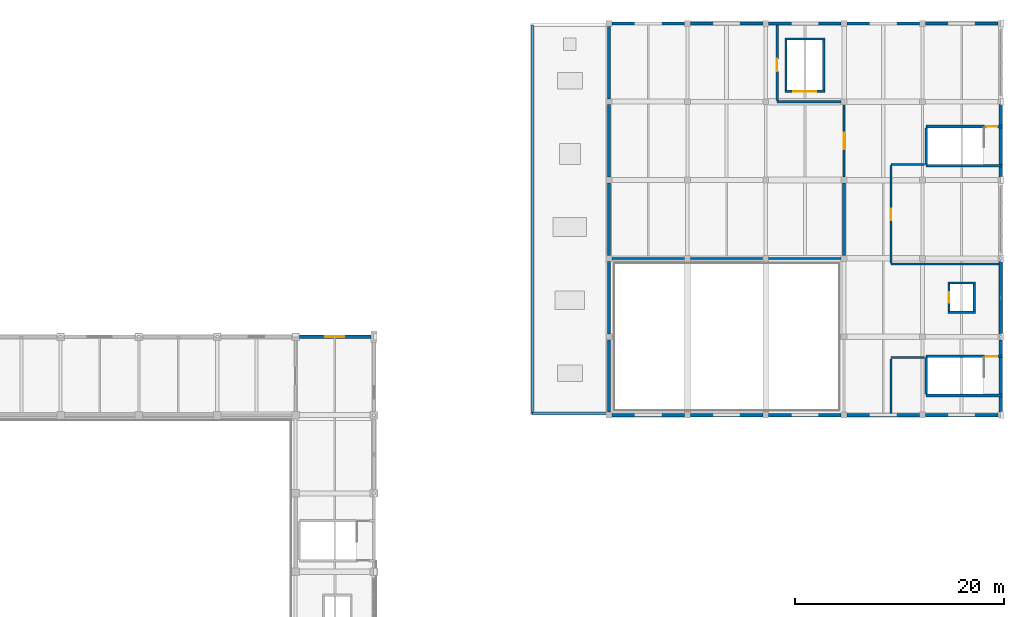
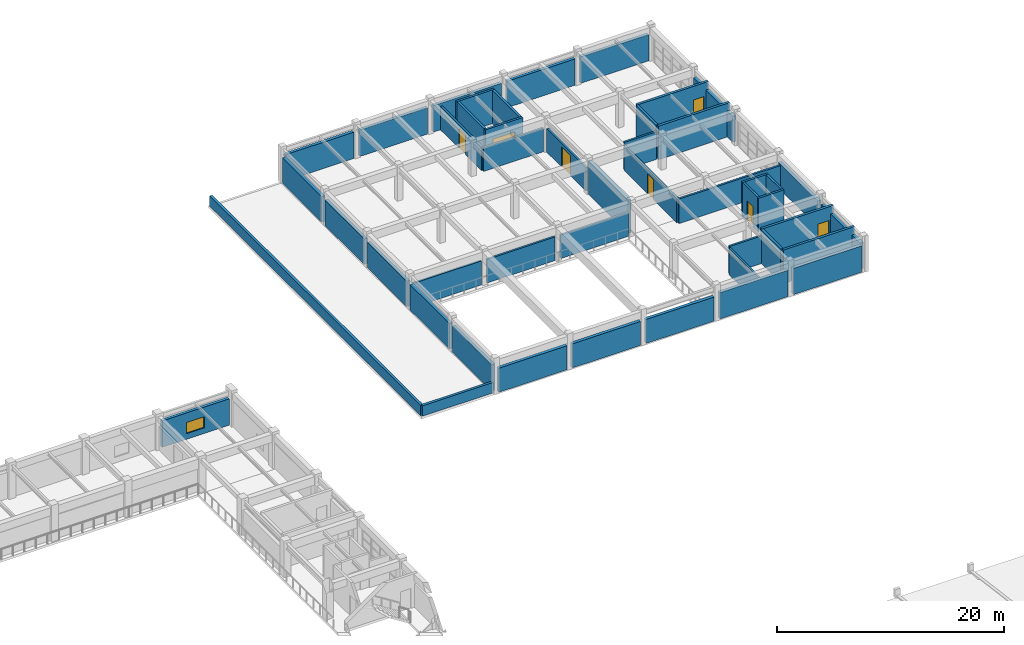
# One storey, part 82 of 101: 47 walls, 7 doors, 1 window, 8 openings.
"""IFC4 building model written with IfcOpenShell, lengths in metres."""

from ifc_helpers import new_model, si_unit, direction, frame, frame_2d, origin, place, context, subcontext, project, spatial, rectangle, extrude, material, layer, layer_set, type_object, element, fill, save


model = new_model("IFC4")

# Units and contexts
model_context = context("Model", 3, precision=1e-05, world=origin(), true_north=direction((0.0, 1.0)))
body_context = subcontext(model_context, "Body", "Model", "MODEL_VIEW")
ifc_project = project(units=[si_unit("LENGTHUNIT", "METRE"), si_unit("AREAUNIT", "SQUARE_METRE"), si_unit("VOLUMEUNIT", "CUBIC_METRE"), si_unit("PLANEANGLEUNIT", "RADIAN"), si_unit("MASSUNIT", "GRAM", prefix="KILO")], contexts=[model_context])

# Site, building, storey
site_placement = place(None, origin())
site = spatial("IfcSite", under=ifc_project, at=site_placement, CompositionType="ELEMENT")
building_placement = place(site_placement, origin())
building = spatial("IfcBuilding", under=site, at=building_placement, Name="Qasida Concert Hall", CompositionType="ELEMENT")
storey_placement = place(building_placement, frame((0.0, 0.0, 13.199951171875)))
storey = spatial("IfcBuildingStorey", under=building, at=storey_placement, Name="L03", CompositionType="ELEMENT", Elevation=13.199951171875)

# Walls
ifc_material_1 = material(Name="Concrete C40/50", Category="concrete")
ifc_layer_1 = layer(ifc_material_1, 0.219970703125, Name="Concrete C40/50")
ifc_layer_set_1 = layer_set([ifc_layer_1], Name="Concrete C40/50")
wall_type_1 = type_object("IfcWallType", Name="WL-CW-220", PredefinedType="SOLIDWALL", material=ifc_layer_set_1)
for number, where, z_axis, x_axis, name in (
    (1, (159.93994140625, 84.85009765625, 0.0), (0.0, 0.0, 1.0), (1.0, 0.0, 0.0), "L03 LF-09 lift shaft wall S"),
    (2, (159.93994140625, 87.64990234375, 0.0), (0.0, 0.0, 1.0), (1.0, 0.0, 0.0), "L03 LF-09 lift shaft wall N"),
):
    element("IfcWall", number, at=place(storey_placement, frame(where, z_axis=z_axis, x_axis=x_axis)), inside=storey, type_object=wall_type_1, Name=name, PredefinedType="SOLIDWALL", context=body_context, shape_type="SweptSolid", body=[
        extrude(rectangle(XDim=2.6201171875, YDim=0.219970703125, at=frame_2d((1.31005859375, 0.0))), origin(), (0.0, 0.0, 1.0), 3.6201171875),
    ])

# Wall, opening, door
wall_1_placement = place(storey_placement, frame((160.050048828125, 84.9599609375, 0.0), z_axis=(0.0, 0.0, 1.0), x_axis=(0.0, 1.0, 0.0)))
wall_1 = element("IfcWall", 3, at=wall_1_placement, inside=storey, type_object=wall_type_1, Name="L03 LF-09 lift shaft wall W", PredefinedType="SOLIDWALL", context=body_context, shape_type="SweptSolid", body=[
    extrude(rectangle(XDim=2.580078125, YDim=0.219970703125, at=frame_2d((1.2900390625, 0.0))), origin(), (0.0, 0.0, 1.0), 3.6201171875),
])
opening_1_placement = place(wall_1_placement, frame((0.7900390625, 0.0, 0.0)))
opening_1 = element("IfcOpeningElement", 4, at=opening_1_placement, cuts=wall_1, Name="Opening LD-100", PredefinedType="OPENING", context=body_context, shape_type="SweptSolid", body=[
    extrude(rectangle(XDim=1.0, YDim=2.14990234375, at=frame_2d((0.5, 1.074951171875))), frame((0.0, 0.119873046875, 0.0), z_axis=(0.0, -1.0, 0.0), x_axis=(1.0, 0.0, 0.0)), (0.0, 0.0, 1.0), 0.239990234375),
])
ifc_material_2 = material(Name="Brushed bronze passenger lift landing door", Category="steel")
door_type_1 = type_object("IfcDoorType", Name="LD-100", OperationType="SLIDING_TO_LEFT", PredefinedType="DOOR", material=ifc_material_2)
door_1_placement = place(opening_1_placement, origin())
door_1 = element("IfcDoor", 5, at=door_1_placement, inside=storey, type_object=door_type_1, Name="Lift landing door LF-09 L03", OperationType="SLIDING_TO_LEFT", OverallHeight=2.14990234375, OverallWidth=1.0, PredefinedType="DOOR", context=body_context, shape_type="SweptSolid", body=[
    extrude(rectangle(XDim=1.0, YDim=2.14990234375, at=frame_2d((0.5, 1.074951171875))), frame((0.0, 0.02490234375, 0.0), z_axis=(0.0, -1.0, 0.0), x_axis=(1.0, 0.0, 0.0)), (0.0, 0.0, 1.0), 0.050048828125),
])
fill(opening_1, door_1)

# Wall
wall_2_placement = place(storey_placement, frame((162.449951171875, 84.9599609375, 0.0), z_axis=(0.0, 0.0, 1.0), x_axis=(0.0, 1.0, 0.0)))
element("IfcWall", 6, at=wall_2_placement, inside=storey, type_object=wall_type_1, Name="L03 LF-09 lift shaft wall E", PredefinedType="SOLIDWALL", context=body_context, shape_type="SweptSolid", body=[
    extrude(rectangle(XDim=2.580078125, YDim=0.219970703125, at=frame_2d((1.2900390625, 0.0))), origin(), (0.0, 0.0, 1.0), 3.6201171875),
])

# Wall, opening, door
wall_3_placement = place(storey_placement, frame((144.340087890625, 106.0, 0.0), z_axis=(0.0, 0.0, 1.0), x_axis=(1.0, 0.0, 0.0)))
wall_3 = element("IfcWall", 7, at=wall_3_placement, inside=storey, type_object=wall_type_1, Name="L03 LF-10 lift shaft wall S", PredefinedType="SOLIDWALL", context=body_context, shape_type="SweptSolid", body=[
    extrude(rectangle(XDim=3.81982421875, YDim=0.219970703125, at=frame_2d((1.909912109375, 0.0))), origin(), (0.0, 0.0, 1.0), 3.6201171875),
])
opening_2_placement = place(wall_3_placement, frame((0.81005859375, 0.0, 0.0)))
opening_2 = element("IfcOpeningElement", 8, at=opening_2_placement, cuts=wall_3, Name="Opening LD-220", PredefinedType="OPENING", context=body_context, shape_type="SweptSolid", body=[
    extrude(rectangle(XDim=2.199951171875, YDim=2.35009765625, at=frame_2d((1.10009765625, 1.175048828125))), frame((0.0, 0.119873046875, 0.0), z_axis=(0.0, -1.0, 0.0), x_axis=(1.0, 0.0, 0.0)), (0.0, 0.0, 1.0), 0.239990234375),
])
ifc_material_3 = material(Name="Piano freight lift bi-parting landing door", Category="steel")
door_type_2 = type_object("IfcDoorType", Name="LD-220", OperationType="DOUBLE_DOOR_SLIDING", PredefinedType="DOOR", material=ifc_material_3)
door_2_placement = place(opening_2_placement, origin())
door_2 = element("IfcDoor", 9, at=door_2_placement, inside=storey, type_object=door_type_2, Name="Lift landing door LF-10 L03", OperationType="DOUBLE_DOOR_SLIDING", OverallHeight=2.35009765625, OverallWidth=2.199951171875, PredefinedType="DOOR", context=body_context, shape_type="SweptSolid", body=[
    extrude(rectangle(XDim=2.199951171875, YDim=2.35009765625, at=frame_2d((1.10009765625, 1.175048828125))), frame((0.0, 0.02490234375, 0.0), z_axis=(0.0, -1.0, 0.0), x_axis=(1.0, 0.0, 0.0)), (0.0, 0.0, 1.0), 0.050048828125),
])
fill(opening_2, door_2)

# Walls
wall_4_placement = place(storey_placement, frame((144.340087890625, 111.0, 0.0), z_axis=(0.0, 0.0, 1.0), x_axis=(1.0, 0.0, 0.0)))
element("IfcWall", 10, at=wall_4_placement, inside=storey, type_object=wall_type_1, Name="L03 LF-10 lift shaft wall N", PredefinedType="SOLIDWALL", context=body_context, shape_type="SweptSolid", body=[
    extrude(rectangle(XDim=3.81982421875, YDim=0.219970703125, at=frame_2d((1.909912109375, 0.0))), origin(), (0.0, 0.0, 1.0), 3.6201171875),
])
for number, where, z_axis, x_axis, name in (
    (11, (144.449951171875, 106.110107421875, 0.0), (0.0, 0.0, 1.0), (0.0, 1.0, 0.0), "L03 LF-10 lift shaft wall W"),
    (12, (148.050048828125, 106.110107421875, 0.0), (0.0, 0.0, 1.0), (0.0, 1.0, 0.0), "L03 LF-10 lift shaft wall E"),
):
    element("IfcWall", number, at=place(storey_placement, frame(where, z_axis=z_axis, x_axis=x_axis)), inside=storey, type_object=wall_type_1, Name=name, PredefinedType="SOLIDWALL", context=body_context, shape_type="SweptSolid", body=[
        extrude(rectangle(XDim=4.77978515625, YDim=0.219970703125, at=frame_2d((2.389892578125, 0.0))), origin(), (0.0, 0.0, 1.0), 3.6201171875),
    ])
ifc_layer_2 = layer(ifc_material_1, 0.25, Name="Concrete C40/50")
ifc_layer_set_2 = layer_set([ifc_layer_2], Name="Concrete C40/50")
wall_type_2 = type_object("IfcWallType", Name="WL-CW-250", PredefinedType="SOLIDWALL", material=ifc_layer_set_2)
wall_5_placement = place(storey_placement, frame((157.860107421875, 76.875, 0.0), z_axis=(0.0, 0.0, 1.0), x_axis=(1.0, 0.0, 0.0)))
element("IfcWall", 13, at=wall_5_placement, inside=storey, type_object=wall_type_2, Name="L03 ST-07 stairwell wall S", PredefinedType="SOLIDWALL", context=body_context, shape_type="SweptSolid", body=[
    extrude(rectangle(XDim=7.260009765625, YDim=0.25, at=frame_2d((3.6298828125, 0.0))), origin(), (0.0, 0.0, 1.0), 3.6201171875),
])

# Wall, opening, door
wall_6_placement = place(storey_placement, frame((157.860107421875, 80.625, 0.0), z_axis=(0.0, 0.0, 1.0), x_axis=(1.0, 0.0, 0.0)))
wall_6 = element("IfcWall", 14, at=wall_6_placement, inside=storey, type_object=wall_type_2, Name="L03 ST-07 stairwell wall N", PredefinedType="SOLIDWALL", context=body_context, shape_type="SweptSolid", body=[
    extrude(rectangle(XDim=7.260009765625, YDim=0.25, at=frame_2d((3.6298828125, 0.0))), origin(), (0.0, 0.0, 1.0), 3.6201171875),
])
opening_3_placement = place(wall_6_placement, frame((5.7099609375, 0.0, 0.0)))
opening_3 = element("IfcOpeningElement", 15, at=opening_3_placement, cuts=wall_6, Name="Opening FD-110", PredefinedType="OPENING", context=body_context, shape_type="SweptSolid", body=[
    extrude(rectangle(XDim=1.10009765625, YDim=2.14990234375, at=frame_2d((0.550048828125, 1.074951171875))), frame((0.0, 0.135009765625, 0.0), z_axis=(0.0, -1.0, 0.0), x_axis=(1.0, 0.0, 0.0)), (0.0, 0.0, 1.0), 0.27001953125),
])
ifc_material_4 = material(Name="Steel fire-rated stair/lobby door set", Category="steel")
door_type_3 = type_object("IfcDoorType", Name="FD-110", OperationType="NOTDEFINED", PredefinedType="DOOR", material=ifc_material_4)
door_3_placement = place(opening_3_placement, origin())
door_3 = element("IfcDoor", 16, at=door_3_placement, inside=storey, type_object=door_type_3, Name="L03 ST-07 rated stair door", OperationType="SINGLE_SWING_RIGHT", OverallHeight=2.14990234375, OverallWidth=1.10009765625, PredefinedType="DOOR", context=body_context, shape_type="SweptSolid", body=[
    extrude(rectangle(XDim=1.10009765625, YDim=2.14990234375, at=frame_2d((0.550048828125, 1.074951171875))), frame((0.0, 0.02490234375, 0.0), z_axis=(0.0, -1.0, 0.0), x_axis=(1.0, 0.0, 0.0)), (0.0, 0.0, 1.0), 0.050048828125),
])
fill(opening_3, door_3)

# Walls
wall_7_placement = place(storey_placement, frame((157.85498046875, 77.0, 0.0), z_axis=(0.0, 0.0, 1.0), x_axis=(0.0, 1.0, 0.0)))
element("IfcWall", 17, at=wall_7_placement, inside=storey, type_object=wall_type_2, Name="L03 ST-07 stairwell wall W", PredefinedType="SOLIDWALL", context=body_context, shape_type="SweptSolid", body=[
    extrude(rectangle(XDim=3.5, YDim=0.25, at=frame_2d((1.75, 0.0))), origin(), (0.0, 0.0, 1.0), 3.6201171875),
])
wall_8_placement = place(storey_placement, frame((157.860107421875, 98.875, 0.0), z_axis=(0.0, 0.0, 1.0), x_axis=(1.0, 0.0, 0.0)))
element("IfcWall", 18, at=wall_8_placement, inside=storey, type_object=wall_type_2, Name="L03 ST-08 stairwell wall S", PredefinedType="SOLIDWALL", context=body_context, shape_type="SweptSolid", body=[
    extrude(rectangle(XDim=7.260009765625, YDim=0.25, at=frame_2d((3.6298828125, 0.0))), origin(), (0.0, 0.0, 1.0), 3.6201171875),
])

# Wall, opening, door
wall_9_placement = place(storey_placement, frame((157.860107421875, 102.625, 0.0), z_axis=(0.0, 0.0, 1.0), x_axis=(1.0, 0.0, 0.0)))
wall_9 = element("IfcWall", 19, at=wall_9_placement, inside=storey, type_object=wall_type_2, Name="L03 ST-08 stairwell wall N", PredefinedType="SOLIDWALL", context=body_context, shape_type="SweptSolid", body=[
    extrude(rectangle(XDim=7.260009765625, YDim=0.25, at=frame_2d((3.6298828125, 0.0))), origin(), (0.0, 0.0, 1.0), 3.6201171875),
])
opening_4_placement = place(wall_9_placement, frame((5.7099609375, 0.0, 0.0)))
opening_4 = element("IfcOpeningElement", 20, at=opening_4_placement, cuts=wall_9, Name="Opening FD-110", PredefinedType="OPENING", context=body_context, shape_type="SweptSolid", body=[
    extrude(rectangle(XDim=1.10009765625, YDim=2.14990234375, at=frame_2d((0.550048828125, 1.074951171875))), frame((0.0, 0.135009765625, 0.0), z_axis=(0.0, -1.0, 0.0), x_axis=(1.0, 0.0, 0.0)), (0.0, 0.0, 1.0), 0.27001953125),
])
door_4_placement = place(opening_4_placement, origin())
door_4 = element("IfcDoor", 21, at=door_4_placement, inside=storey, type_object=door_type_3, Name="L03 ST-08 rated stair door", OperationType="SINGLE_SWING_RIGHT", OverallHeight=2.14990234375, OverallWidth=1.10009765625, PredefinedType="DOOR", context=body_context, shape_type="SweptSolid", body=[
    extrude(rectangle(XDim=1.10009765625, YDim=2.14990234375, at=frame_2d((0.550048828125, 1.074951171875))), frame((0.0, 0.02490234375, 0.0), z_axis=(0.0, -1.0, 0.0), x_axis=(1.0, 0.0, 0.0)), (0.0, 0.0, 1.0), 0.050048828125),
])
fill(opening_4, door_4)

# Wall
wall_10_placement = place(storey_placement, frame((157.85498046875, 99.0, 0.0), z_axis=(0.0, 0.0, 1.0), x_axis=(0.0, 1.0, 0.0)))
element("IfcWall", 22, at=wall_10_placement, inside=storey, type_object=wall_type_2, Name="L03 ST-08 stairwell wall W", PredefinedType="SOLIDWALL", context=body_context, shape_type="SweptSolid", body=[
    extrude(rectangle(XDim=3.5, YDim=0.25, at=frame_2d((1.75, 0.0))), origin(), (0.0, 0.0, 1.0), 3.6201171875),
])

# Wall, opening, window
ifc_material_5 = material(Name="Precast concrete C40/50", Category="concrete")
ifc_layer_3 = layer(ifc_material_5, 0.300048828125, Name="Precast concrete C40/50")
ifc_layer_set_3 = layer_set([ifc_layer_3], Name="Precast concrete C40/50")
wall_type_3 = type_object("IfcWallType", Name="WL-EW-300", PredefinedType="SOLIDWALL", material=ifc_layer_set_3)
wall_11_placement = place(storey_placement, frame((97.875, 82.5, 0.0), z_axis=(0.0, 0.0, 1.0), x_axis=(1.0, 0.0, 0.0)))
wall_11 = element("IfcWall", 23, at=wall_11_placement, inside=storey, type_object=wall_type_3, Name="L03 exterior wall EW-300 0078", PredefinedType="SOLIDWALL", context=body_context, shape_type="SweptSolid", body=[
    extrude(rectangle(XDim=6.820068359375, YDim=0.300048828125, at=frame_2d((3.41015625, 0.0))), origin(), (0.0, 0.0, 1.0), 2.840087890625),
])
opening_5_placement = place(wall_11_placement, frame((2.47509765625, 0.0, 0.60009765625)))
opening_5 = element("IfcOpeningElement", 24, at=opening_5_placement, cuts=wall_11, Name="Opening WN-19", PredefinedType="OPENING", context=body_context, shape_type="SweptSolid", body=[
    extrude(rectangle(XDim=1.800048828125, YDim=1.199951171875, at=frame_2d((0.89990234375, 0.60009765625))), frame((0.0, 0.159912109375, 0.0), z_axis=(0.0, -1.0, 0.0), x_axis=(1.0, 0.0, 0.0)), (0.0, 0.0, 1.0), 0.320068359375),
])
ifc_material_6 = material(Name="Bronze-anodized aluminium frame with acoustic low-E glazing", Category="aluminium")
window_type = type_object("IfcWindowType", Name="WN-19", PartitioningType="SINGLE_PANEL", PredefinedType="WINDOW", material=ifc_material_6)
window_placement = place(opening_5_placement, origin())
window = element("IfcWindow", 25, at=window_placement, inside=storey, type_object=window_type, Name="L03 window WN-19 0027", OverallHeight=1.199951171875, OverallWidth=1.800048828125, PartitioningType="SINGLE_PANEL", PredefinedType="WINDOW", context=body_context, shape_type="SweptSolid", body=[
    extrude(rectangle(XDim=1.800048828125, YDim=1.199951171875, at=frame_2d((0.89990234375, 0.60009765625))), frame((0.0, 0.030029296875, 0.0), z_axis=(0.0, -1.0, 0.0), x_axis=(1.0, 0.0, 0.0)), (0.0, 0.0, 1.0), 0.06005859375),
])
fill(opening_5, window)

# Walls
for number, where, z_axis, x_axis, name in (
    (26, (127.784912109375, 112.5, 0.0), (0.0, 0.0, 1.0), (1.0, 0.0, 0.0), "L03 exterior wall EW-300 0212"),
    (27, (135.284912109375, 112.5, 0.0), (0.0, 0.0, 1.0), (1.0, 0.0, 0.0), "L03 exterior wall EW-300 0214"),
    (28, (142.784912109375, 112.5, 0.0), (0.0, 0.0, 1.0), (1.0, 0.0, 0.0), "L03 exterior wall EW-300 0216"),
    (29, (150.284912109375, 112.5, 0.0), (0.0, 0.0, 1.0), (1.0, 0.0, 0.0), "L03 exterior wall EW-300 0218"),
    (30, (157.784912109375, 112.5, 0.0), (0.0, 0.0, 1.0), (1.0, 0.0, 0.0), "L03 exterior wall EW-300 0220"),
):
    element("IfcWall", number, at=place(storey_placement, frame(where, z_axis=z_axis, x_axis=x_axis)), inside=storey, type_object=wall_type_3, Name=name, PredefinedType="SOLIDWALL", context=body_context, shape_type="SweptSolid", body=[
        extrude(rectangle(XDim=6.93017578125, YDim=0.300048828125, at=frame_2d((3.465087890625, 0.0))), origin(), (0.0, 0.0, 1.0), 2.840087890625),
    ])
ifc_layer_4 = layer(ifc_material_5, 0.320068359375, Name="Precast concrete C40/50")
ifc_layer_set_4 = layer_set([ifc_layer_4], Name="Precast concrete C40/50")
wall_type_4 = type_object("IfcWallType", Name="WL-EW-320", PredefinedType="SOLIDWALL", material=ifc_layer_set_4)
for number, where, z_axis, x_axis, name in (
    (31, (127.784912109375, 75.0, 0.0), (0.0, 0.0, 1.0), (1.0, 0.0, 0.0), "L03 exterior wall EW-320 0211"),
    (32, (135.284912109375, 75.0, 0.0), (0.0, 0.0, 1.0), (1.0, 0.0, 0.0), "L03 exterior wall EW-320 0213"),
    (33, (142.784912109375, 75.0, 0.0), (0.0, 0.0, 1.0), (1.0, 0.0, 0.0), "L03 exterior wall EW-320 0215"),
):
    element("IfcWall", number, at=place(storey_placement, frame(where, z_axis=z_axis, x_axis=x_axis)), inside=storey, type_object=wall_type_4, Name=name, PredefinedType="SOLIDWALL", context=body_context, shape_type="SweptSolid", body=[
        extrude(rectangle(XDim=6.93017578125, YDim=0.320068359375, at=frame_2d((3.465087890625, 0.0))), origin(), (0.0, 0.0, 1.0), 2.590087890625),
    ])
for number, where, z_axis, x_axis, name in (
    (34, (150.284912109375, 75.0, 0.0), (0.0, 0.0, 1.0), (1.0, 0.0, 0.0), "L03 exterior wall EW-320 0217"),
    (35, (157.784912109375, 75.0, 0.0), (0.0, 0.0, 1.0), (1.0, 0.0, 0.0), "L03 exterior wall EW-320 0219"),
    (36, (127.5, 75.284912109375, 0.0), (0.0, 0.0, 1.0), (0.0, 1.0, 0.0), "L03 exterior wall EW-320 0221"),
):
    element("IfcWall", number, at=place(storey_placement, frame(where, z_axis=z_axis, x_axis=x_axis)), inside=storey, type_object=wall_type_4, Name=name, PredefinedType="SOLIDWALL", context=body_context, shape_type="SweptSolid", body=[
        extrude(rectangle(XDim=6.93017578125, YDim=0.320068359375, at=frame_2d((3.465087890625, 0.0))), origin(), (0.0, 0.0, 1.0), 2.840087890625),
    ])
wall_12_placement = place(storey_placement, frame((165.0, 75.284912109375, 0.0), z_axis=(0.0, 0.0, 1.0), x_axis=(0.0, 1.0, 0.0)))
element("IfcWall", 37, at=wall_12_placement, inside=storey, type_object=wall_type_4, Name="L03 exterior wall EW-320 0222", PredefinedType="SOLIDWALL", context=body_context, shape_type="SweptSolid", body=[
    extrude(rectangle(XDim=6.93017578125, YDim=0.320068359375, at=frame_2d((3.465087890625, 0.0))), origin(), (0.0, 0.0, 1.0), 2.7900390625),
])
wall_13_placement = place(storey_placement, frame((127.5, 82.784912109375, 0.0), z_axis=(0.0, 0.0, 1.0), x_axis=(0.0, 1.0, 0.0)))
element("IfcWall", 38, at=wall_13_placement, inside=storey, type_object=wall_type_4, Name="L03 exterior wall EW-320 0223", PredefinedType="SOLIDWALL", context=body_context, shape_type="SweptSolid", body=[
    extrude(rectangle(XDim=6.93017578125, YDim=0.320068359375, at=frame_2d((3.465087890625, 0.0))), origin(), (0.0, 0.0, 1.0), 2.739990234375),
])
wall_14_placement = place(storey_placement, frame((165.0, 82.784912109375, 0.0), z_axis=(0.0, 0.0, 1.0), x_axis=(0.0, 1.0, 0.0)))
element("IfcWall", 39, at=wall_14_placement, inside=storey, type_object=wall_type_4, Name="L03 exterior wall EW-320 0224", PredefinedType="SOLIDWALL", context=body_context, shape_type="SweptSolid", body=[
    extrude(rectangle(XDim=6.93017578125, YDim=0.320068359375, at=frame_2d((3.465087890625, 0.0))), origin(), (0.0, 0.0, 1.0), 2.7900390625),
])
for number, where, z_axis, x_axis, name in (
    (40, (127.5, 90.284912109375, 0.0), (0.0, 0.0, 1.0), (0.0, 1.0, 0.0), "L03 exterior wall EW-320 0225"),
    (41, (127.5, 97.784912109375, 0.0), (0.0, 0.0, 1.0), (0.0, 1.0, 0.0), "L03 exterior wall EW-320 0226"),
):
    element("IfcWall", number, at=place(storey_placement, frame(where, z_axis=z_axis, x_axis=x_axis)), inside=storey, type_object=wall_type_4, Name=name, PredefinedType="SOLIDWALL", context=body_context, shape_type="SweptSolid", body=[
        extrude(rectangle(XDim=6.93017578125, YDim=0.320068359375, at=frame_2d((3.465087890625, 0.0))), origin(), (0.0, 0.0, 1.0), 2.739990234375),
    ])
wall_15_placement = place(storey_placement, frame((165.0, 97.784912109375, 0.0), z_axis=(0.0, 0.0, 1.0), x_axis=(0.0, 1.0, 0.0)))
element("IfcWall", 42, at=wall_15_placement, inside=storey, type_object=wall_type_4, Name="L03 exterior wall EW-320 0227", PredefinedType="SOLIDWALL", context=body_context, shape_type="SweptSolid", body=[
    extrude(rectangle(XDim=6.93017578125, YDim=0.320068359375, at=frame_2d((3.465087890625, 0.0))), origin(), (0.0, 0.0, 1.0), 2.7900390625),
])
wall_16_placement = place(storey_placement, frame((127.5, 105.284912109375, 0.0), z_axis=(0.0, 0.0, 1.0), x_axis=(0.0, 1.0, 0.0)))
element("IfcWall", 43, at=wall_16_placement, inside=storey, type_object=wall_type_4, Name="L03 exterior wall EW-320 0228", PredefinedType="SOLIDWALL", context=body_context, shape_type="SweptSolid", body=[
    extrude(rectangle(XDim=6.93017578125, YDim=0.320068359375, at=frame_2d((3.465087890625, 0.0))), origin(), (0.0, 0.0, 1.0), 2.739990234375),
])
ifc_layer_5 = layer(ifc_material_5, 0.25, Name="Precast concrete C40/50")
ifc_layer_set_5 = layer_set([ifc_layer_5], Name="Precast concrete C40/50")
wall_type_5 = type_object("IfcWallType", Name="WL-PR-250", PredefinedType="PARAPET", material=ifc_layer_set_5)
wall_17_placement = place(storey_placement, frame((120.14990234375, 112.35009765625, 0.0), z_axis=(0.0, 0.0, 1.0), x_axis=(0.0, -1.0, 0.0)))
element("IfcWall", 44, at=wall_17_placement, inside=storey, type_object=wall_type_5, Name="L03 stepped roof parapet PR-250 001", PredefinedType="PARAPET", context=body_context, shape_type="SweptSolid", body=[
    extrude(rectangle(XDim=37.2001953125, YDim=0.25, at=frame_2d((18.60009765625, 0.0))), origin(), (0.0, 0.0, 1.0), 1.1201171875),
])
wall_18_placement = place(storey_placement, frame((120.14990234375, 75.14990234375, 0.0), z_axis=(0.0, 0.0, 1.0), x_axis=(1.0, 0.0, 0.0)))
element("IfcWall", 45, at=wall_18_placement, inside=storey, type_object=wall_type_5, Name="L03 stepped roof parapet PR-250 002", PredefinedType="PARAPET", context=body_context, shape_type="SweptSolid", body=[
    extrude(rectangle(XDim=7.2001953125, YDim=0.25, at=frame_2d((3.60009765625, 0.0))), origin(), (0.0, 0.0, 1.0), 1.1201171875),
])
ifc_material_7 = material(Name="Acoustic gypsum block and mineral wool", Category="gypsum")
ifc_layer_6 = layer(ifc_material_7, 0.199951171875, Name="Acoustic gypsum block and mineral wool")
ifc_layer_set_6 = layer_set([ifc_layer_6], Name="Acoustic gypsum block and mineral wool")
wall_type_6 = type_object("IfcWallType", Name="WL-PW-200", PredefinedType="PARTITIONING", material=ifc_layer_set_6)
wall_19_placement = place(storey_placement, frame((143.60009765625, 105.0, 0.0), z_axis=(0.0, 0.0, 1.0), x_axis=(1.0, 0.0, 0.0)))
element("IfcWall", 46, at=wall_19_placement, inside=storey, type_object=wall_type_6, Name="L03 partition PW-200 0540", PredefinedType="PARTITIONING", context=body_context, shape_type="SweptSolid", body=[
    extrude(rectangle(XDim=6.11083984375, YDim=0.199951171875, at=frame_2d((3.055419921875, 0.0))), origin(), (0.0, 0.0, 1.0), 2.5400390625),
])

# Wall, opening, door
wall_20_placement = place(storey_placement, frame((143.60009765625, 105.114013671875, 0.0), z_axis=(0.0, 0.0, 1.0), x_axis=(0.0, 1.0, 0.0)))
wall_20 = element("IfcWall", 47, at=wall_20_placement, inside=storey, type_object=wall_type_6, Name="L03 partition PW-200 0541", PredefinedType="PARTITIONING", context=body_context, shape_type="SweptSolid", body=[
    extrude(rectangle(XDim=7.221923828125, YDim=0.199951171875, at=frame_2d((3.61083984375, 0.0))), origin(), (0.0, 0.0, 1.0), 2.5400390625),
])
opening_6_placement = place(wall_20_placement, frame((2.785888671875, 0.0, 0.0)))
opening_6 = element("IfcOpeningElement", 48, at=opening_6_placement, cuts=wall_20, Name="Opening FD-120", PredefinedType="OPENING", context=body_context, shape_type="SweptSolid", body=[
    extrude(rectangle(XDim=1.199951171875, YDim=2.14990234375, at=frame_2d((0.60009765625, 1.074951171875))), frame((0.0, 0.10986328125, 0.0), z_axis=(0.0, -1.0, 0.0), x_axis=(1.0, 0.0, 0.0)), (0.0, 0.0, 1.0), 0.219970703125),
])
ifc_material_8 = material(Name="Steel fire-rated acoustic door set", Category="steel")
door_type_4 = type_object("IfcDoorType", Name="FD-120", OperationType="NOTDEFINED", PredefinedType="DOOR", material=ifc_material_8)
door_5_placement = place(opening_6_placement, origin())
door_5 = element("IfcDoor", 49, at=door_5_placement, inside=storey, type_object=door_type_4, Name="L03 L03 freight lift airlock door", OperationType="SINGLE_SWING_RIGHT", OverallHeight=2.14990234375, OverallWidth=1.199951171875, PredefinedType="DOOR", context=body_context, shape_type="SweptSolid", body=[
    extrude(rectangle(XDim=1.199951171875, YDim=2.14990234375, at=frame_2d((0.60009765625, 1.074951171875))), frame((0.0, 0.02490234375, 0.0), z_axis=(0.0, -1.0, 0.0), x_axis=(1.0, 0.0, 0.0)), (0.0, 0.0, 1.0), 0.050048828125),
])
fill(opening_6, door_5)

# Walls
wall_21_placement = place(storey_placement, frame((154.5, 80.5, 0.0), z_axis=(0.0, 0.0, 1.0), x_axis=(1.0, 0.0, 0.0)))
element("IfcWall", 50, at=wall_21_placement, inside=storey, type_object=wall_type_6, Name="L03 partition PW-200 0542", PredefinedType="PARTITIONING", context=body_context, shape_type="SweptSolid", body=[
    extrude(rectangle(XDim=3.216064453125, YDim=0.199951171875, at=frame_2d((1.60791015625, 0.0))), origin(), (0.0, 0.0, 1.0), 2.969970703125),
])
wall_22_placement = place(storey_placement, frame((154.5, 75.174072265625, 0.0), z_axis=(0.0, 0.0, 1.0), x_axis=(0.0, 1.0, 0.0)))
element("IfcWall", 51, at=wall_22_placement, inside=storey, type_object=wall_type_6, Name="L03 partition PW-200 0543", PredefinedType="PARTITIONING", context=body_context, shape_type="SweptSolid", body=[
    extrude(rectangle(XDim=5.2119140625, YDim=0.199951171875, at=frame_2d((2.60595703125, 0.0))), origin(), (0.0, 0.0, 1.0), 2.840087890625),
])
wall_23_placement = place(storey_placement, frame((154.5, 89.449951171875, 0.0), z_axis=(0.0, 0.0, 1.0), x_axis=(1.0, 0.0, 0.0)))
element("IfcWall", 52, at=wall_23_placement, inside=storey, type_object=wall_type_6, Name="L03 partition PW-200 0544", PredefinedType="PARTITIONING", context=body_context, shape_type="SweptSolid", body=[
    extrude(rectangle(XDim=10.325927734375, YDim=0.199951171875, at=frame_2d((5.1630859375, 0.0))), origin(), (0.0, 0.0, 1.0), 2.64013671875),
])
wall_24_placement = place(storey_placement, frame((154.5, 99.0, 0.0), z_axis=(0.0, 0.0, 1.0), x_axis=(1.0, 0.0, 0.0)))
element("IfcWall", 53, at=wall_24_placement, inside=storey, type_object=wall_type_6, Name="L03 partition PW-200 0545", PredefinedType="PARTITIONING", context=body_context, shape_type="SweptSolid", body=[
    extrude(rectangle(XDim=3.216064453125, YDim=0.199951171875, at=frame_2d((1.60791015625, 0.0))), origin(), (0.0, 0.0, 1.0), 2.969970703125),
])

# Wall, opening, door
wall_25_placement = place(storey_placement, frame((154.5, 89.56396484375, 0.0), z_axis=(0.0, 0.0, 1.0), x_axis=(0.0, 1.0, 0.0)))
wall_25 = element("IfcWall", 54, at=wall_25_placement, inside=storey, type_object=wall_type_6, Name="L03 partition PW-200 0546", PredefinedType="PARTITIONING", context=body_context, shape_type="SweptSolid", body=[
    extrude(rectangle(XDim=9.322021484375, YDim=0.199951171875, at=frame_2d((4.6611328125, 0.0))), origin(), (0.0, 0.0, 1.0), 2.64013671875),
])
opening_7_placement = place(wall_25_placement, frame((4.0859375, 0.0, 0.0)))
opening_7 = element("IfcOpeningElement", 55, at=opening_7_placement, cuts=wall_25, Name="Opening FD-110", PredefinedType="OPENING", context=body_context, shape_type="SweptSolid", body=[
    extrude(rectangle(XDim=1.10009765625, YDim=2.14990234375, at=frame_2d((0.550048828125, 1.074951171875))), frame((0.0, 0.10986328125, 0.0), z_axis=(0.0, -1.0, 0.0), x_axis=(1.0, 0.0, 0.0)), (0.0, 0.0, 1.0), 0.219970703125),
])
door_6_placement = place(opening_7_placement, origin())
door_6 = element("IfcDoor", 56, at=door_6_placement, inside=storey, type_object=door_type_3, Name="L03 L03 stage dimmer rack room door", OperationType="SINGLE_SWING_LEFT", OverallHeight=2.14990234375, OverallWidth=1.10009765625, PredefinedType="DOOR", context=body_context, shape_type="SweptSolid", body=[
    extrude(rectangle(XDim=1.10009765625, YDim=2.14990234375, at=frame_2d((0.550048828125, 1.074951171875))), frame((0.0, 0.02490234375, 0.0), z_axis=(0.0, -1.0, 0.0), x_axis=(1.0, 0.0, 0.0)), (0.0, 0.0, 1.0), 0.050048828125),
])
fill(opening_7, door_6)

# Walls
wall_26_placement = place(storey_placement, frame((127.7890625, 90.0, 0.0), z_axis=(0.0, 0.0, 1.0), x_axis=(1.0, 0.0, 0.0)))
element("IfcWall", 57, at=wall_26_placement, inside=storey, type_object=wall_type_6, Name="L03 partition PW-200 0576", PredefinedType="PARTITIONING", context=body_context, shape_type="SweptSolid", body=[
    extrude(rectangle(XDim=6.921875, YDim=0.199951171875, at=frame_2d((3.4609375, 0.0))), origin(), (0.0, 0.0, 1.0), 2.590087890625),
])
for number, where, z_axis, x_axis, name in (
    (58, (135.2890625, 90.0, 0.0), (0.0, 0.0, 1.0), (1.0, 0.0, 0.0), "L03 partition PW-200 0577"),
    (59, (142.7890625, 90.0, 0.0), (0.0, 0.0, 1.0), (1.0, 0.0, 0.0), "L03 partition PW-200 0578"),
):
    element("IfcWall", number, at=place(storey_placement, frame(where, z_axis=z_axis, x_axis=x_axis)), inside=storey, type_object=wall_type_6, Name=name, PredefinedType="PARTITIONING", context=body_context, shape_type="SweptSolid", body=[
        extrude(rectangle(XDim=6.921875, YDim=0.199951171875, at=frame_2d((3.4609375, 0.0))), origin(), (0.0, 0.0, 1.0), 2.5400390625),
    ])

# Wall, opening, door
wall_27_placement = place(storey_placement, frame((150.0, 97.7890625, 0.0), z_axis=(0.0, 0.0, 1.0), x_axis=(0.0, 1.0, 0.0)))
wall_27 = element("IfcWall", 60, at=wall_27_placement, inside=storey, type_object=wall_type_6, Name="L03 partition PW-200 0579", PredefinedType="PARTITIONING", context=body_context, shape_type="SweptSolid", body=[
    extrude(rectangle(XDim=6.921875, YDim=0.199951171875, at=frame_2d((3.4609375, 0.0))), origin(), (0.0, 0.0, 1.0), 2.5400390625),
])
opening_8_placement = place(wall_27_placement, frame((2.660888671875, 0.0, 0.0)))
opening_8 = element("IfcOpeningElement", 61, at=opening_8_placement, cuts=wall_27, Name="Opening FD-160", PredefinedType="OPENING", context=body_context, shape_type="SweptSolid", body=[
    extrude(rectangle(XDim=1.60009765625, YDim=2.14990234375, at=frame_2d((0.800048828125, 1.074951171875))), frame((0.0, 0.10986328125, 0.0), z_axis=(0.0, -1.0, 0.0), x_axis=(1.0, 0.0, 0.0)), (0.0, 0.0, 1.0), 0.219970703125),
])
ifc_material_9 = material(Name="Double-leaf acoustic fire door", Category="steel")
door_type_5 = type_object("IfcDoorType", Name="FD-160", OperationType="NOTDEFINED", PredefinedType="DOOR", material=ifc_material_9)
door_7_placement = place(opening_8_placement, origin())
door_7 = element("IfcDoor", 62, at=door_7_placement, inside=storey, type_object=door_type_5, Name="L03 Acoustic AHU plant hall door", OperationType="SINGLE_SWING_LEFT", OverallHeight=2.14990234375, OverallWidth=1.60009765625, PredefinedType="DOOR", context=body_context, shape_type="SweptSolid", body=[
    extrude(rectangle(XDim=1.60009765625, YDim=2.14990234375, at=frame_2d((0.800048828125, 1.074951171875))), frame((0.0, 0.02490234375, 0.0), z_axis=(0.0, -1.0, 0.0), x_axis=(1.0, 0.0, 0.0)), (0.0, 0.0, 1.0), 0.050048828125),
])
fill(opening_8, door_7)

# Wall
ifc_layer_7 = layer(ifc_material_1, 0.300048828125, Name="Concrete C40/50")
ifc_layer_set_7 = layer_set([ifc_layer_7], Name="Concrete C40/50")
wall_type_7 = type_object("IfcWallType", Name="WL-SW-300", PredefinedType="SHEAR", material=ifc_layer_set_7)
wall_28_placement = place(storey_placement, frame((150.0, 90.27490234375, 0.0), z_axis=(0.0, 0.0, 1.0), x_axis=(0.0, 1.0, 0.0)))
element("IfcWall", 63, at=wall_28_placement, inside=storey, type_object=wall_type_7, Name="L03 V4 rehearsal shear wall 0034", PredefinedType="SHEAR", context=body_context, shape_type="SweptSolid", body=[
    extrude(rectangle(XDim=6.9501953125, YDim=0.300048828125, at=frame_2d((3.47509765625, 0.0))), origin(), (0.0, 0.0, 1.0), 3.60009765625),
])

save(model, "model.ifc")
